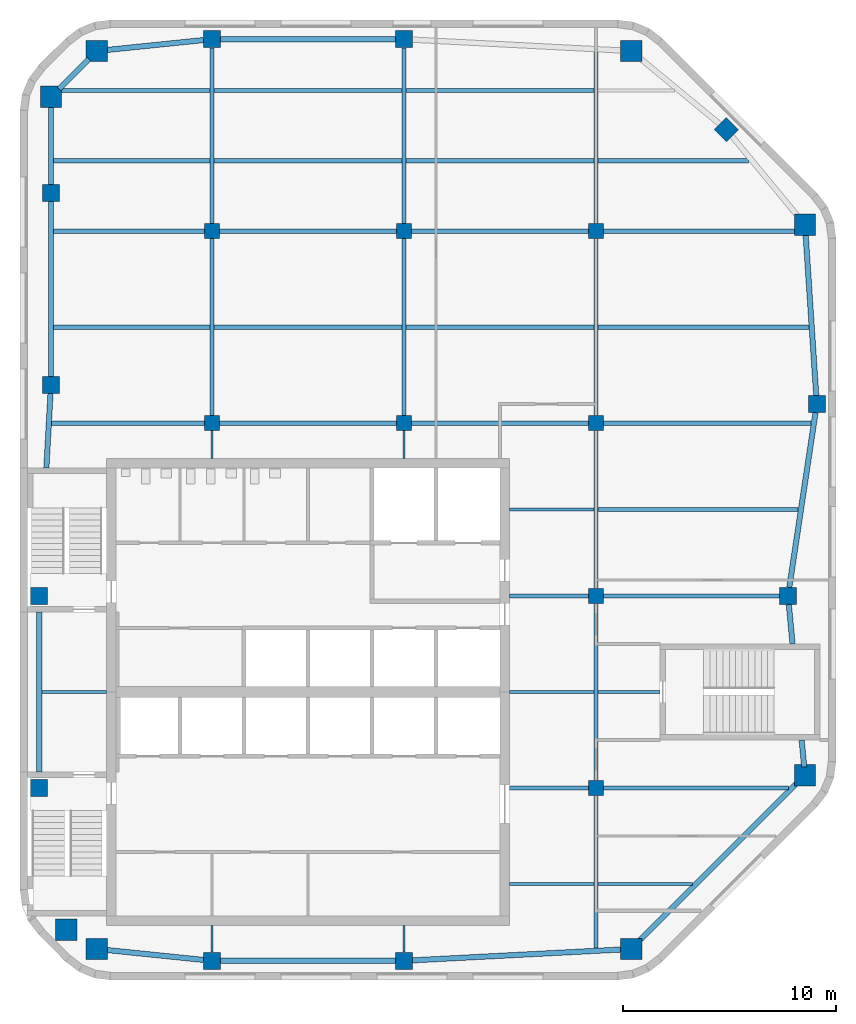
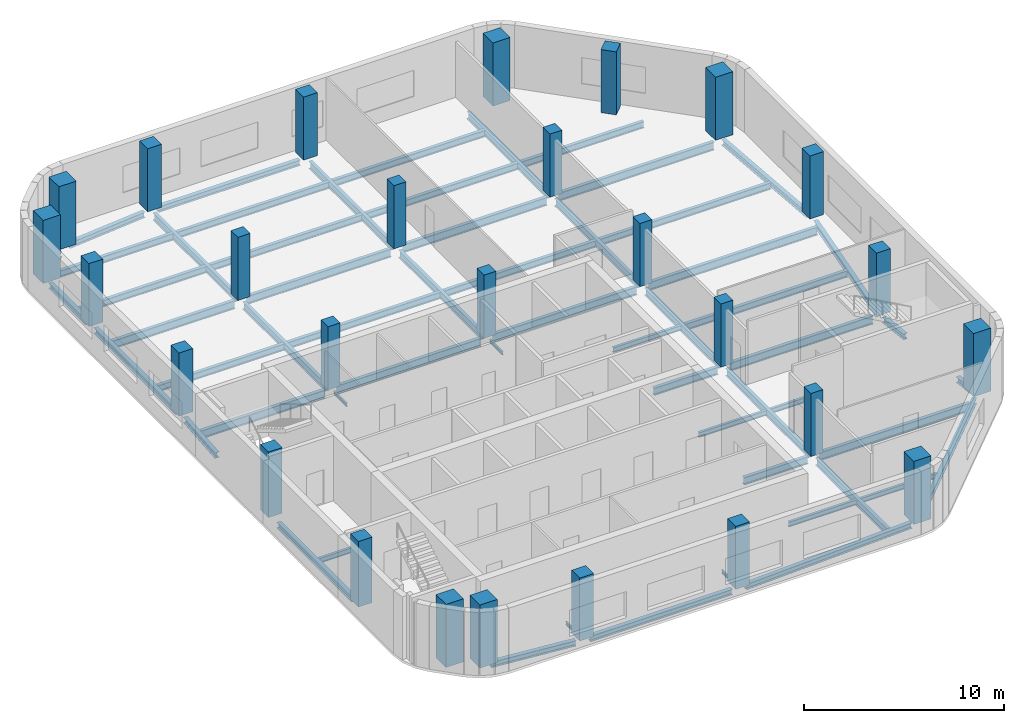
# One storey, part 1 of 7: 58 beams, 27 columns.
"""IFC4 building model written with IfcOpenShell, lengths in metres."""

from ifc_helpers import new_model, si_unit, direction, frame, origin, origin_2d, place, context, subcontext, project, spatial, rectangle, i_section, extrude, material, material_profile, profile_set, type_object, element, save


model = new_model("IFC4")

# Units and contexts
model_context = context("Model", 3, precision=1e-05, world=origin(), true_north=direction((0.0, 1.0)))
body_context = subcontext(model_context, "Body", "Model", "MODEL_VIEW")
ifc_project = project(units=[si_unit("LENGTHUNIT", "METRE"), si_unit("AREAUNIT", "SQUARE_METRE"), si_unit("VOLUMEUNIT", "CUBIC_METRE"), si_unit("PLANEANGLEUNIT", "RADIAN"), si_unit("MASSUNIT", "GRAM", prefix="KILO")], contexts=[model_context])

# Site, building, storey
site_placement = place(None, origin())
site = spatial("IfcSite", under=ifc_project, at=site_placement, CompositionType="ELEMENT")
building_placement = place(site_placement, origin())
building = spatial("IfcBuilding", under=site, at=building_placement, Name="Cinnabar Reach Civic Tower", CompositionType="ELEMENT")
storey_placement = place(building_placement, frame((0.0, 0.0, 255.0)))
storey = spatial("IfcBuildingStorey", under=building, at=storey_placement, Name="L61", CompositionType="ELEMENT", Elevation=255.0)

# Columns
ifc_material_1 = material(Name="Concrete C70", Category="concrete")
ifc_material_profile_1 = material_profile(ifc_material_1, rectangle(XDim=1.0, YDim=1.0, at=origin_2d()), Name="RC1000")
ifc_profile_set_1 = profile_set([ifc_material_profile_1], Name="Concrete C70")
column_type_1 = type_object("IfcColumnType", Name="RC1000 column R 240", PredefinedType="COLUMN", material=ifc_profile_set_1)
for number, where, z_axis, x_axis, name in (
    (1, (3.6019, 19.4531, 0.0), (0.0, 0.0, 1.0), (1.0, 0.0, 0.0), "Column T1-Z5-CC0"),
    (2, (28.6481, 19.4531, 0.0), (0.0, 0.0, 1.0), (1.0, 0.0, 0.0), "Column T1-Z5-CC1"),
    (3, (36.7969, 27.6019, 0.0), (0.0, 0.0, 1.0), (1.0, 0.0, 0.0), "Column T1-Z5-CC2"),
    (4, (36.7969, 53.3981, 0.0), (0.0, 0.0, 1.0), (1.0, 0.0, 0.0), "Column T1-Z5-CC3"),
    (5, (28.6481, 61.5469, 0.0), (0.0, 0.0, 1.0), (1.0, 0.0, 0.0), "Column T1-Z5-CC4"),
    (6, (3.6019, 61.5469, 0.0), (0.0, 0.0, 1.0), (1.0, 0.0, 0.0), "Column T1-Z5-CC5"),
    (7, (1.4531, 59.3981, 0.0), (0.0, 0.0, 1.0), (1.0, 0.0, 0.0), "Column T1-Z5-CC6"),
    (8, (2.1631, 20.35, 0.0), (0.0, 0.0, 1.0), (1.0, 0.0, 0.0), "Column T1-Z5-CC7"),
):
    element("IfcColumn", number, at=place(storey_placement, frame(where, z_axis=z_axis, x_axis=x_axis)), inside=storey, type_object=column_type_1, Name=name, PredefinedType="COLUMN", context=body_context, shape_type="SweptSolid", body=[
        extrude(rectangle(XDim=1.0, YDim=1.0, at=origin_2d()), origin(), (0.0, 0.0, 1.0), 3.85),
    ])
ifc_material_2 = material(Name="Concrete C60", Category="concrete")
ifc_material_profile_2 = material_profile(ifc_material_2, rectangle(XDim=0.7, YDim=0.7, at=origin_2d()), Name="RC700")
ifc_profile_set_2 = profile_set([ifc_material_profile_2], Name="Concrete C60")
column_type_2 = type_object("IfcColumnType", Name="RC700 column R 240", PredefinedType="COLUMN", material=ifc_profile_set_2)
for number, where, z_axis, x_axis, name in (
    (9, (9.0, 44.1, 0.0), (0.0, 0.0, 1.0), (1.0, 0.0, 0.0), "Column T1-Z5-I9_45"),
    (10, (9.0, 53.1, 0.0), (0.0, 0.0, 1.0), (1.0, 0.0, 0.0), "Column T1-Z5-I9_54"),
    (11, (18.0, 44.1, 0.0), (0.0, 0.0, 1.0), (1.0, 0.0, 0.0), "Column T1-Z5-I18_45"),
    (12, (18.0, 53.1, 0.0), (0.0, 0.0, 1.0), (1.0, 0.0, 0.0), "Column T1-Z5-I18_54"),
    (13, (27.0, 27.0, 0.0), (0.0, 0.0, 1.0), (1.0, 0.0, 0.0), "Column T1-Z5-I27_27"),
    (14, (27.0, 36.0, 0.0), (0.0, 0.0, 1.0), (1.0, 0.0, 0.0), "Column T1-Z5-I27_36"),
    (15, (27.0, 44.1, 0.0), (0.0, 0.0, 1.0), (1.0, 0.0, 0.0), "Column T1-Z5-I27_45"),
    (16, (27.0, 53.1, 0.0), (0.0, 0.0, 1.0), (1.0, 0.0, 0.0), "Column T1-Z5-I27_54"),
):
    element("IfcColumn", number, at=place(storey_placement, frame(where, z_axis=z_axis, x_axis=x_axis)), inside=storey, type_object=column_type_2, Name=name, PredefinedType="COLUMN", context=body_context, shape_type="SweptSolid", body=[
        extrude(rectangle(XDim=0.7, YDim=0.7, at=origin_2d()), origin(), (0.0, 0.0, 1.0), 3.85),
    ])
ifc_material_profile_3 = material_profile(ifc_material_2, rectangle(XDim=0.8, YDim=0.8, at=origin_2d()), Name="RC800")
ifc_profile_set_3 = profile_set([ifc_material_profile_3], Name="Concrete C60")
column_type_3 = type_object("IfcColumnType", Name="RC800 column R 240", PredefinedType="COLUMN", material=ifc_profile_set_3)
for number, where, z_axis, x_axis, name in (
    (17, (9.0, 18.9, 0.0), (0.0, 0.0, 1.0), (1.0, 0.0, 0.0), "Column T1-Z5-F0-1"),
    (18, (18.0, 18.9, 0.0), (0.0, 0.0, 1.0), (1.0, 0.0, 0.0), "Column T1-Z5-F0-2"),
    (19, (36.0, 36.0, 0.0), (0.0, 0.0, 1.0), (1.0, 0.0, 0.0), "Column T1-Z5-F2-4"),
    (20, (37.35, 45.0, 0.0), (0.0, 0.0, 1.0), (1.0, 0.0, 0.0), "Column T1-Z5-F2-5"),
    (21, (33.1136, 57.8636, 0.0), (0.0, 0.0, 1.0), (0.707106781187, 0.707106781187, 0.0), "Column T1-Z5-F3-M"),
    (22, (9.0, 62.1, 0.0), (0.0, 0.0, 1.0), (1.0, 0.0, 0.0), "Column T1-Z5-F4-1"),
    (23, (18.0, 62.1, 0.0), (0.0, 0.0, 1.0), (1.0, 0.0, 0.0), "Column T1-Z5-F4-2"),
):
    element("IfcColumn", number, at=place(storey_placement, frame(where, z_axis=z_axis, x_axis=x_axis)), inside=storey, type_object=column_type_3, Name=name, PredefinedType="COLUMN", context=body_context, shape_type="SweptSolid", body=[
        extrude(rectangle(XDim=0.8, YDim=0.8, at=origin_2d()), origin(), (0.0, 0.0, 1.0), 3.85),
    ])
for number, where, z_axis, x_axis, name in (
    (24, (0.9, 27.0, 0.0), (0.0, 0.0, 1.0), (1.0, 0.0, 0.0), "Column T1-Z5-F6-3"),
    (25, (0.9, 36.0, 0.0), (0.0, 0.0, 1.0), (1.0, 0.0, 0.0), "Column T1-Z5-F6-4"),
):
    element("IfcColumn", number, at=place(storey_placement, frame(where, z_axis=z_axis, x_axis=x_axis)), inside=storey, type_object=column_type_3, Name=name, PredefinedType="COLUMN", context=body_context, shape_type="SweptSolid", body=[
        extrude(rectangle(XDim=0.8, YDim=0.8, at=origin_2d()), origin(), (0.0, 0.0, 1.0), 4.0),
    ])
for number, where, z_axis, x_axis, name in (
    (26, (1.4531, 45.8981, 0.0), (0.0, 0.0, 1.0), (1.0, 0.0, 0.0), "Column T1-Z5-F6-5"),
    (27, (1.4531, 54.8981, 0.0), (0.0, 0.0, 1.0), (1.0, 0.0, 0.0), "Column T1-Z5-F6-6"),
):
    element("IfcColumn", number, at=place(storey_placement, frame(where, z_axis=z_axis, x_axis=x_axis)), inside=storey, type_object=column_type_3, Name=name, PredefinedType="COLUMN", context=body_context, shape_type="SweptSolid", body=[
        extrude(rectangle(XDim=0.8, YDim=0.8, at=origin_2d()), origin(), (0.0, 0.0, 1.0), 3.85),
    ])

# Beams
ifc_material_3 = material(Name="Steel Q355B", Category="steel")
ifc_material_profile_4 = material_profile(ifc_material_3, i_section(OverallWidth=0.25, OverallDepth=0.34, WebThickness=0.009, FlangeThickness=0.014, FilletRadius=0.013, at=origin_2d()), Name="HM340x250x9x14")
ifc_profile_set_4 = profile_set([ifc_material_profile_4], Name="Steel Q355B")
beam_type_1 = type_object("IfcBeamType", Name="HM340x250x9x14 beam R 180", PredefinedType="BEAM", material=ifc_profile_set_4)
beam_1_placement = place(storey_placement, frame((3.9839, 19.414, -0.32), z_axis=(0.994791084875, -0.101934770579, 0.0), x_axis=(0.101934770579, 0.994791084875, 0.0)))
element("IfcBeam", 28, at=beam_1_placement, inside=storey, type_object=beam_type_1, Name="Edge beam T1 L61 1", PredefinedType="BEAM", context=body_context, shape_type="SweptSolid", body=[
    extrude(i_section(OverallWidth=0.25, OverallDepth=0.34, WebThickness=0.009, FlangeThickness=0.014, FilletRadius=0.013, at=origin_2d()), origin(), (0.0, 0.0, 1.0), 4.6383),
])
beam_2_placement = place(storey_placement, frame((9.402, 18.9, -0.32), z_axis=(1.0, 0.0, 0.0), x_axis=(0.0, 1.0, 0.0)))
element("IfcBeam", 29, at=beam_2_placement, inside=storey, type_object=beam_type_1, Name="Edge beam T1 L61 2", PredefinedType="BEAM", context=body_context, shape_type="SweptSolid", body=[
    extrude(i_section(OverallWidth=0.25, OverallDepth=0.34, WebThickness=0.009, FlangeThickness=0.014, FilletRadius=0.013, at=origin_2d()), origin(), (0.0, 0.0, 1.0), 8.196),
])
beam_3_placement = place(storey_placement, frame((18.402, 18.9209, -0.32), z_axis=(0.998653533726, 0.051876001934, 0.0), x_axis=(-0.051876001934, 0.998653533726, 0.0)))
element("IfcBeam", 30, at=beam_3_placement, inside=storey, type_object=beam_type_1, Name="Edge beam T1 L61 3", PredefinedType="BEAM", context=body_context, shape_type="SweptSolid", body=[
    extrude(i_section(OverallWidth=0.25, OverallDepth=0.34, WebThickness=0.009, FlangeThickness=0.014, FilletRadius=0.013, at=origin_2d()), origin(), (0.0, 0.0, 1.0), 9.8774),
])
beam_4_placement = place(storey_placement, frame((29.0301, 19.8351, -0.32), z_axis=(0.707106781187, 0.707106781187, 0.0), x_axis=(-0.707106781187, 0.707106781187, 0.0)))
element("IfcBeam", 31, at=beam_4_placement, inside=storey, type_object=beam_type_1, Name="Edge beam T1 L61 4", PredefinedType="BEAM", context=body_context, shape_type="SweptSolid", body=[
    extrude(i_section(OverallWidth=0.25, OverallDepth=0.34, WebThickness=0.009, FlangeThickness=0.014, FilletRadius=0.013, at=origin_2d()), origin(), (0.0, 0.0, 1.0), 10.4437),
])
beam_5_placement = place(storey_placement, frame((36.7607, 27.9839, -0.32), z_axis=(-0.094504338241, 0.995524449752, 0.0), x_axis=(-0.995524449752, -0.094504338241, 0.0)))
element("IfcBeam", 32, at=beam_5_placement, inside=storey, type_object=beam_type_1, Name="Edge beam T1 L61 5", PredefinedType="BEAM", context=body_context, shape_type="SweptSolid", body=[
    extrude(i_section(OverallWidth=0.25, OverallDepth=0.34, WebThickness=0.009, FlangeThickness=0.014, FilletRadius=0.013, at=origin_2d()), origin(), (0.0, 0.0, 1.0), 1.2698),
])
beam_6_placement = place(storey_placement, frame((36.2133, 33.752, -0.32), z_axis=(-0.094483333102, 0.995526443529, 0.0), x_axis=(-0.995526443529, -0.094483333102, 0.0)))
element("IfcBeam", 33, at=beam_6_placement, inside=storey, type_object=beam_type_1, Name="Edge beam T1 L61 6", PredefinedType="BEAM", context=body_context, shape_type="SweptSolid", body=[
    extrude(i_section(OverallWidth=0.25, OverallDepth=0.34, WebThickness=0.009, FlangeThickness=0.014, FilletRadius=0.013, at=origin_2d()), origin(), (0.0, 0.0, 1.0), 1.8543),
])
beam_7_placement = place(storey_placement, frame((36.0603, 36.402, -0.32), z_axis=(0.14834045293, 0.988936352868, 0.0), x_axis=(-0.988936352868, 0.14834045293, 0.0)))
element("IfcBeam", 34, at=beam_7_placement, inside=storey, type_object=beam_type_1, Name="Edge beam T1 L61 7", PredefinedType="BEAM", context=body_context, shape_type="SweptSolid", body=[
    extrude(i_section(OverallWidth=0.25, OverallDepth=0.34, WebThickness=0.009, FlangeThickness=0.014, FilletRadius=0.013, at=origin_2d()), origin(), (0.0, 0.0, 1.0), 8.2877),
])
beam_8_placement = place(storey_placement, frame((37.3235, 45.402, -0.32), z_axis=(-0.065709195057, 0.997838815483, 0.0), x_axis=(-0.997838815483, -0.065709195057, 0.0)))
element("IfcBeam", 35, at=beam_8_placement, inside=storey, type_object=beam_type_1, Name="Edge beam T1 L61 8", PredefinedType="BEAM", context=body_context, shape_type="SweptSolid", body=[
    extrude(i_section(OverallWidth=0.25, OverallDepth=0.34, WebThickness=0.009, FlangeThickness=0.014, FilletRadius=0.013, at=origin_2d()), origin(), (0.0, 0.0, 1.0), 7.6306),
])
beam_9_placement = place(storey_placement, frame((17.598, 62.1, -0.32), z_axis=(-1.0, 0.0, 0.0), x_axis=(0.0, -1.0, 0.0)))
element("IfcBeam", 36, at=beam_9_placement, inside=storey, type_object=beam_type_1, Name="Edge beam T1 L61 12", PredefinedType="BEAM", context=body_context, shape_type="SweptSolid", body=[
    extrude(i_section(OverallWidth=0.25, OverallDepth=0.34, WebThickness=0.009, FlangeThickness=0.014, FilletRadius=0.013, at=origin_2d()), origin(), (0.0, 0.0, 1.0), 8.196),
])
beam_10_placement = place(storey_placement, frame((8.598, 62.0588, -0.32), z_axis=(-0.994791084875, -0.101934770579, 0.0), x_axis=(0.101934770579, -0.994791084875, 0.0)))
element("IfcBeam", 37, at=beam_10_placement, inside=storey, type_object=beam_type_1, Name="Edge beam T1 L61 13", PredefinedType="BEAM", context=body_context, shape_type="SweptSolid", body=[
    extrude(i_section(OverallWidth=0.25, OverallDepth=0.34, WebThickness=0.009, FlangeThickness=0.014, FilletRadius=0.013, at=origin_2d()), origin(), (0.0, 0.0, 1.0), 4.6383),
])
beam_11_placement = place(storey_placement, frame((3.2199, 61.1649, -0.32), z_axis=(-0.707106781187, -0.707106781187, 0.0), x_axis=(0.707106781187, -0.707106781187, 0.0)))
element("IfcBeam", 38, at=beam_11_placement, inside=storey, type_object=beam_type_1, Name="Edge beam T1 L61 14", PredefinedType="BEAM", context=body_context, shape_type="SweptSolid", body=[
    extrude(i_section(OverallWidth=0.25, OverallDepth=0.34, WebThickness=0.009, FlangeThickness=0.014, FilletRadius=0.013, at=origin_2d()), origin(), (0.0, 0.0, 1.0), 1.9584),
])
beam_12_placement = place(storey_placement, frame((1.4531, 59.0161, -0.32), z_axis=(0.0, -1.0, 0.0), x_axis=(1.0, 0.0, 0.0)))
element("IfcBeam", 39, at=beam_12_placement, inside=storey, type_object=beam_type_1, Name="Edge beam T1 L61 15", PredefinedType="BEAM", context=body_context, shape_type="SweptSolid", body=[
    extrude(i_section(OverallWidth=0.25, OverallDepth=0.34, WebThickness=0.009, FlangeThickness=0.014, FilletRadius=0.013, at=origin_2d()), origin(), (0.0, 0.0, 1.0), 3.716),
])
beam_13_placement = place(storey_placement, frame((1.4531, 54.4961, -0.32), z_axis=(0.0, -1.0, 0.0), x_axis=(1.0, 0.0, 0.0)))
element("IfcBeam", 40, at=beam_13_placement, inside=storey, type_object=beam_type_1, Name="Edge beam T1 L61 16", PredefinedType="BEAM", context=body_context, shape_type="SweptSolid", body=[
    extrude(i_section(OverallWidth=0.25, OverallDepth=0.34, WebThickness=0.009, FlangeThickness=0.014, FilletRadius=0.013, at=origin_2d()), origin(), (0.0, 0.0, 1.0), 8.196),
])
beam_14_placement = place(storey_placement, frame((1.4306, 45.4961, -0.32), z_axis=(-0.055778628236, -0.998443160441, 0.0), x_axis=(0.998443160441, -0.055778628236, 0.0)))
element("IfcBeam", 41, at=beam_14_placement, inside=storey, type_object=beam_type_1, Name="Edge beam T1 L61 17", PredefinedType="BEAM", context=body_context, shape_type="SweptSolid", body=[
    extrude(i_section(OverallWidth=0.25, OverallDepth=0.34, WebThickness=0.009, FlangeThickness=0.014, FilletRadius=0.013, at=origin_2d()), origin(), (0.0, 0.0, 1.0), 3.4995),
])
beam_15_placement = place(storey_placement, frame((0.9, 35.248, -0.32), z_axis=(0.0, -1.0, 0.0), x_axis=(1.0, 0.0, 0.0)))
element("IfcBeam", 42, at=beam_15_placement, inside=storey, type_object=beam_type_1, Name="Edge beam T1 L61 18", PredefinedType="BEAM", context=body_context, shape_type="SweptSolid", body=[
    extrude(i_section(OverallWidth=0.25, OverallDepth=0.34, WebThickness=0.009, FlangeThickness=0.014, FilletRadius=0.013, at=origin_2d()), origin(), (0.0, 0.0, 1.0), 7.496),
])
ifc_material_profile_5 = material_profile(ifc_material_3, i_section(OverallWidth=0.099, OverallDepth=0.198, WebThickness=0.0045, FlangeThickness=0.007, FilletRadius=0.013, at=origin_2d()), Name="HN200x100x5.5x8")
ifc_profile_set_5 = profile_set([ifc_material_profile_5], Name="Steel Q355B")
beam_type_2 = type_object("IfcBeamType", Name="HN200x100x5.5x8 beam R 180", PredefinedType="BEAM", material=ifc_profile_set_5)
beam_16_placement = place(storey_placement, frame((9.0, 19.302, -0.249), z_axis=(0.0, 1.0, 0.0), x_axis=(-1.0, 0.0, 0.0)))
element("IfcBeam", 43, at=beam_16_placement, inside=storey, type_object=beam_type_2, Name="Girder T1 L61 1", PredefinedType="BEAM", context=body_context, shape_type="SweptSolid", body=[
    extrude(i_section(OverallWidth=0.099, OverallDepth=0.198, WebThickness=0.0045, FlangeThickness=0.007, FilletRadius=0.013, at=origin_2d()), origin(), (0.0, 0.0, 1.0), 1.246),
])
beam_17_placement = place(storey_placement, frame((9.0, 42.452, -0.249), z_axis=(0.0, 1.0, 0.0), x_axis=(-1.0, 0.0, 0.0)))
element("IfcBeam", 44, at=beam_17_placement, inside=storey, type_object=beam_type_2, Name="Girder T1 L61 2", PredefinedType="BEAM", context=body_context, shape_type="SweptSolid", body=[
    extrude(i_section(OverallWidth=0.099, OverallDepth=0.198, WebThickness=0.0045, FlangeThickness=0.007, FilletRadius=0.013, at=origin_2d()), origin(), (0.0, 0.0, 1.0), 1.296),
])
beam_18_placement = place(storey_placement, frame((18.0, 19.302, -0.249), z_axis=(0.0, 1.0, 0.0), x_axis=(-1.0, 0.0, 0.0)))
element("IfcBeam", 45, at=beam_18_placement, inside=storey, type_object=beam_type_2, Name="Girder T1 L61 5", PredefinedType="BEAM", context=body_context, shape_type="SweptSolid", body=[
    extrude(i_section(OverallWidth=0.099, OverallDepth=0.198, WebThickness=0.0045, FlangeThickness=0.007, FilletRadius=0.013, at=origin_2d()), origin(), (0.0, 0.0, 1.0), 1.246),
])
beam_19_placement = place(storey_placement, frame((18.0, 42.452, -0.249), z_axis=(0.0, 1.0, 0.0), x_axis=(-1.0, 0.0, 0.0)))
element("IfcBeam", 46, at=beam_19_placement, inside=storey, type_object=beam_type_2, Name="Girder T1 L61 6", PredefinedType="BEAM", context=body_context, shape_type="SweptSolid", body=[
    extrude(i_section(OverallWidth=0.099, OverallDepth=0.198, WebThickness=0.0045, FlangeThickness=0.007, FilletRadius=0.013, at=origin_2d()), origin(), (0.0, 0.0, 1.0), 1.296),
])
ifc_material_profile_6 = material_profile(ifc_material_3, i_section(OverallWidth=0.15, OverallDepth=0.3, WebThickness=0.0065, FlangeThickness=0.009, FilletRadius=0.013, at=origin_2d()), Name="HN300x150x6.5x9")
ifc_profile_set_6 = profile_set([ifc_material_profile_6], Name="Steel Q355B")
beam_type_3 = type_object("IfcBeamType", Name="HN300x150x6.5x9 beam R 180", PredefinedType="BEAM", material=ifc_profile_set_6)
beam_20_placement = place(storey_placement, frame((22.952, 22.5, -0.3), z_axis=(1.0, 0.0, 0.0), x_axis=(0.0, 1.0, 0.0)))
element("IfcBeam", 47, at=beam_20_placement, inside=storey, type_object=beam_type_3, Name="Secondary beam T1 L61 1", PredefinedType="BEAM", context=body_context, shape_type="SweptSolid", body=[
    extrude(i_section(OverallWidth=0.15, OverallDepth=0.3, WebThickness=0.0065, FlangeThickness=0.009, FilletRadius=0.013, at=origin_2d()), origin(), (0.0, 0.0, 1.0), 3.946),
])
beam_21_placement = place(storey_placement, frame((27.102, 22.5, -0.3), z_axis=(1.0, 0.0, 0.0), x_axis=(0.0, 1.0, 0.0)))
element("IfcBeam", 48, at=beam_21_placement, inside=storey, type_object=beam_type_3, Name="Secondary beam T1 L61 2", PredefinedType="BEAM", context=body_context, shape_type="SweptSolid", body=[
    extrude(i_section(OverallWidth=0.15, OverallDepth=0.3, WebThickness=0.0065, FlangeThickness=0.009, FilletRadius=0.013, at=origin_2d()), origin(), (0.0, 0.0, 1.0), 4.4134),
])
beam_22_placement = place(storey_placement, frame((1.027, 31.5, -0.3), z_axis=(1.0, 0.0, 0.0), x_axis=(0.0, 1.0, 0.0)))
element("IfcBeam", 49, at=beam_22_placement, inside=storey, type_object=beam_type_3, Name="Secondary beam T1 L61 3", PredefinedType="BEAM", context=body_context, shape_type="SweptSolid", body=[
    extrude(i_section(OverallWidth=0.15, OverallDepth=0.3, WebThickness=0.0065, FlangeThickness=0.009, FilletRadius=0.013, at=origin_2d()), origin(), (0.0, 0.0, 1.0), 3.021),
])
beam_23_placement = place(storey_placement, frame((22.952, 31.5, -0.3), z_axis=(1.0, 0.0, 0.0), x_axis=(0.0, 1.0, 0.0)))
element("IfcBeam", 50, at=beam_23_placement, inside=storey, type_object=beam_type_3, Name="Secondary beam T1 L61 4", PredefinedType="BEAM", context=body_context, shape_type="SweptSolid", body=[
    extrude(i_section(OverallWidth=0.15, OverallDepth=0.3, WebThickness=0.0065, FlangeThickness=0.009, FilletRadius=0.013, at=origin_2d()), origin(), (0.0, 0.0, 1.0), 3.946),
])
beam_24_placement = place(storey_placement, frame((27.102, 31.5, -0.3), z_axis=(1.0, 0.0, 0.0), x_axis=(0.0, 1.0, 0.0)))
element("IfcBeam", 51, at=beam_24_placement, inside=storey, type_object=beam_type_3, Name="Secondary beam T1 L61 5", PredefinedType="BEAM", context=body_context, shape_type="SweptSolid", body=[
    extrude(i_section(OverallWidth=0.15, OverallDepth=0.3, WebThickness=0.0065, FlangeThickness=0.009, FilletRadius=0.013, at=origin_2d()), origin(), (0.0, 0.0, 1.0), 2.896),
])
beam_25_placement = place(storey_placement, frame((22.952, 40.05, -0.3), z_axis=(1.0, 0.0, 0.0), x_axis=(0.0, 1.0, 0.0)))
element("IfcBeam", 52, at=beam_25_placement, inside=storey, type_object=beam_type_3, Name="Secondary beam T1 L61 6", PredefinedType="BEAM", context=body_context, shape_type="SweptSolid", body=[
    extrude(i_section(OverallWidth=0.15, OverallDepth=0.3, WebThickness=0.0065, FlangeThickness=0.009, FilletRadius=0.013, at=origin_2d()), origin(), (0.0, 0.0, 1.0), 3.946),
])
ifc_material_profile_7 = material_profile(ifc_material_3, i_section(OverallWidth=0.2, OverallDepth=0.4, WebThickness=0.008, FlangeThickness=0.013, FilletRadius=0.016, at=origin_2d()), Name="HN400x200x8x13")
ifc_profile_set_7 = profile_set([ifc_material_profile_7], Name="Steel Q355B")
beam_type_4 = type_object("IfcBeamType", Name="HN400x200x8x13 beam R 180", PredefinedType="BEAM", material=ifc_profile_set_7)
beam_26_placement = place(storey_placement, frame((27.102, 40.05, -0.35), z_axis=(1.0, 0.0, 0.0), x_axis=(0.0, 1.0, 0.0)))
element("IfcBeam", 53, at=beam_26_placement, inside=storey, type_object=beam_type_4, Name="Secondary beam T1 L61 7", PredefinedType="BEAM", context=body_context, shape_type="SweptSolid", body=[
    extrude(i_section(OverallWidth=0.2, OverallDepth=0.4, WebThickness=0.008, FlangeThickness=0.013, FilletRadius=0.016, at=origin_2d()), origin(), (0.0, 0.0, 1.0), 9.3771),
])
beam_27_placement = place(storey_placement, frame((1.5801, 48.6, -0.35), z_axis=(1.0, 0.0, 0.0), x_axis=(0.0, 1.0, 0.0)))
element("IfcBeam", 54, at=beam_27_placement, inside=storey, type_object=beam_type_4, Name="Secondary beam T1 L61 8", PredefinedType="BEAM", context=body_context, shape_type="SweptSolid", body=[
    extrude(i_section(OverallWidth=0.2, OverallDepth=0.4, WebThickness=0.008, FlangeThickness=0.013, FilletRadius=0.016, at=origin_2d()), origin(), (0.0, 0.0, 1.0), 7.3179),
])
for number, where, z_axis, x_axis, name in (
    (55, (9.102, 48.6, -0.35), (1.0, 0.0, 0.0), (0.0, 1.0, 0.0), "Secondary beam T1 L61 9"),
    (56, (18.102, 48.6, -0.35), (1.0, 0.0, 0.0), (0.0, 1.0, 0.0), "Secondary beam T1 L61 10"),
):
    element("IfcBeam", number, at=place(storey_placement, frame(where, z_axis=z_axis, x_axis=x_axis)), inside=storey, type_object=beam_type_4, Name=name, PredefinedType="BEAM", context=body_context, shape_type="SweptSolid", body=[
        extrude(i_section(OverallWidth=0.2, OverallDepth=0.4, WebThickness=0.008, FlangeThickness=0.013, FilletRadius=0.016, at=origin_2d()), origin(), (0.0, 0.0, 1.0), 8.796),
    ])
beam_28_placement = place(storey_placement, frame((27.102, 48.6, -0.35), z_axis=(1.0, 0.0, 0.0), x_axis=(0.0, 1.0, 0.0)))
element("IfcBeam", 57, at=beam_28_placement, inside=storey, type_object=beam_type_4, Name="Secondary beam T1 L61 11", PredefinedType="BEAM", context=body_context, shape_type="SweptSolid", body=[
    extrude(i_section(OverallWidth=0.2, OverallDepth=0.4, WebThickness=0.008, FlangeThickness=0.013, FilletRadius=0.016, at=origin_2d()), origin(), (0.0, 0.0, 1.0), 9.8836),
])
beam_29_placement = place(storey_placement, frame((1.5801, 56.4, -0.35), z_axis=(1.0, 0.0, 0.0), x_axis=(0.0, 1.0, 0.0)))
element("IfcBeam", 58, at=beam_29_placement, inside=storey, type_object=beam_type_4, Name="Secondary beam T1 L61 12", PredefinedType="BEAM", context=body_context, shape_type="SweptSolid", body=[
    extrude(i_section(OverallWidth=0.2, OverallDepth=0.4, WebThickness=0.008, FlangeThickness=0.013, FilletRadius=0.016, at=origin_2d()), origin(), (0.0, 0.0, 1.0), 7.3179),
])
for number, where, z_axis, x_axis, name in (
    (59, (9.102, 56.4, -0.35), (1.0, 0.0, 0.0), (0.0, 1.0, 0.0), "Secondary beam T1 L61 13"),
    (60, (18.102, 56.4, -0.35), (1.0, 0.0, 0.0), (0.0, 1.0, 0.0), "Secondary beam T1 L61 14"),
):
    element("IfcBeam", number, at=place(storey_placement, frame(where, z_axis=z_axis, x_axis=x_axis)), inside=storey, type_object=beam_type_4, Name=name, PredefinedType="BEAM", context=body_context, shape_type="SweptSolid", body=[
        extrude(i_section(OverallWidth=0.2, OverallDepth=0.4, WebThickness=0.008, FlangeThickness=0.013, FilletRadius=0.016, at=origin_2d()), origin(), (0.0, 0.0, 1.0), 8.796),
    ])
beam_30_placement = place(storey_placement, frame((27.102, 56.4, -0.35), z_axis=(1.0, 0.0, 0.0), x_axis=(0.0, 1.0, 0.0)))
element("IfcBeam", 61, at=beam_30_placement, inside=storey, type_object=beam_type_4, Name="Secondary beam T1 L61 15", PredefinedType="BEAM", context=body_context, shape_type="SweptSolid", body=[
    extrude(i_section(OverallWidth=0.2, OverallDepth=0.4, WebThickness=0.008, FlangeThickness=0.013, FilletRadius=0.016, at=origin_2d()), origin(), (0.0, 0.0, 1.0), 7.0542),
])
beam_31_placement = place(storey_placement, frame((1.9551, 59.7, -0.35), z_axis=(1.0, 0.0, 0.0), x_axis=(0.0, 1.0, 0.0)))
element("IfcBeam", 62, at=beam_31_placement, inside=storey, type_object=beam_type_4, Name="Secondary beam T1 L61 16", PredefinedType="BEAM", context=body_context, shape_type="SweptSolid", body=[
    extrude(i_section(OverallWidth=0.2, OverallDepth=0.4, WebThickness=0.008, FlangeThickness=0.013, FilletRadius=0.016, at=origin_2d()), origin(), (0.0, 0.0, 1.0), 6.9429),
])
for number, where, z_axis, x_axis, name in (
    (63, (9.102, 59.7, -0.35), (1.0, 0.0, 0.0), (0.0, 1.0, 0.0), "Secondary beam T1 L61 17"),
    (64, (18.102, 59.7, -0.35), (1.0, 0.0, 0.0), (0.0, 1.0, 0.0), "Secondary beam T1 L61 18"),
):
    element("IfcBeam", number, at=place(storey_placement, frame(where, z_axis=z_axis, x_axis=x_axis)), inside=storey, type_object=beam_type_4, Name=name, PredefinedType="BEAM", context=body_context, shape_type="SweptSolid", body=[
        extrude(i_section(OverallWidth=0.2, OverallDepth=0.4, WebThickness=0.008, FlangeThickness=0.013, FilletRadius=0.016, at=origin_2d()), origin(), (0.0, 0.0, 1.0), 8.796),
    ])
ifc_material_profile_8 = material_profile(ifc_material_3, i_section(OverallWidth=0.2, OverallDepth=0.45, WebThickness=0.009, FlangeThickness=0.014, FilletRadius=0.016, at=origin_2d()), Name="HN450x200x9x14")
ifc_profile_set_8 = profile_set([ifc_material_profile_8], Name="Steel Q355B")
beam_type_5 = type_object("IfcBeamType", Name="HN450x200x9x14 beam R 180", PredefinedType="BEAM", material=ifc_profile_set_8)
for number, where, z_axis, x_axis, name in (
    (65, (22.952, 27.0, -0.375), (1.0, 0.0, 0.0), (0.0, 1.0, 0.0), "Girder T1 L61 1"),
    (66, (22.952, 36.0, -0.375), (1.0, 0.0, 0.0), (0.0, 1.0, 0.0), "Girder T1 L61 3"),
):
    element("IfcBeam", number, at=place(storey_placement, frame(where, z_axis=z_axis, x_axis=x_axis)), inside=storey, type_object=beam_type_5, Name=name, PredefinedType="BEAM", context=body_context, shape_type="SweptSolid", body=[
        extrude(i_section(OverallWidth=0.2, OverallDepth=0.45, WebThickness=0.009, FlangeThickness=0.014, FilletRadius=0.016, at=origin_2d()), origin(), (0.0, 0.0, 1.0), 3.696),
    ])
beam_32_placement = place(storey_placement, frame((9.0, 44.452, -0.375), z_axis=(0.0, 1.0, 0.0), x_axis=(-1.0, 0.0, 0.0)))
element("IfcBeam", 67, at=beam_32_placement, inside=storey, type_object=beam_type_5, Name="Girder T1 L61 3", PredefinedType="BEAM", context=body_context, shape_type="SweptSolid", body=[
    extrude(i_section(OverallWidth=0.2, OverallDepth=0.45, WebThickness=0.009, FlangeThickness=0.014, FilletRadius=0.016, at=origin_2d()), origin(), (0.0, 0.0, 1.0), 8.296),
])
beam_33_placement = place(storey_placement, frame((9.0, 53.452, -0.375), z_axis=(0.0, 1.0, 0.0), x_axis=(-1.0, 0.0, 0.0)))
element("IfcBeam", 68, at=beam_33_placement, inside=storey, type_object=beam_type_5, Name="Girder T1 L61 4", PredefinedType="BEAM", context=body_context, shape_type="SweptSolid", body=[
    extrude(i_section(OverallWidth=0.2, OverallDepth=0.45, WebThickness=0.009, FlangeThickness=0.014, FilletRadius=0.016, at=origin_2d()), origin(), (0.0, 0.0, 1.0), 8.246),
])
beam_34_placement = place(storey_placement, frame((18.0, 44.452, -0.375), z_axis=(0.0, 1.0, 0.0), x_axis=(-1.0, 0.0, 0.0)))
element("IfcBeam", 69, at=beam_34_placement, inside=storey, type_object=beam_type_5, Name="Girder T1 L61 7", PredefinedType="BEAM", context=body_context, shape_type="SweptSolid", body=[
    extrude(i_section(OverallWidth=0.2, OverallDepth=0.45, WebThickness=0.009, FlangeThickness=0.014, FilletRadius=0.016, at=origin_2d()), origin(), (0.0, 0.0, 1.0), 8.296),
])
beam_35_placement = place(storey_placement, frame((18.0, 53.452, -0.375), z_axis=(0.0, 1.0, 0.0), x_axis=(-1.0, 0.0, 0.0)))
element("IfcBeam", 70, at=beam_35_placement, inside=storey, type_object=beam_type_5, Name="Girder T1 L61 8", PredefinedType="BEAM", context=body_context, shape_type="SweptSolid", body=[
    extrude(i_section(OverallWidth=0.2, OverallDepth=0.45, WebThickness=0.009, FlangeThickness=0.014, FilletRadius=0.016, at=origin_2d()), origin(), (0.0, 0.0, 1.0), 8.246),
])
beam_36_placement = place(storey_placement, frame((27.0, 19.4947, -0.375), z_axis=(0.0, 1.0, 0.0), x_axis=(-1.0, 0.0, 0.0)))
element("IfcBeam", 71, at=beam_36_placement, inside=storey, type_object=beam_type_5, Name="Girder T1 L61 9", PredefinedType="BEAM", context=body_context, shape_type="SweptSolid", body=[
    extrude(i_section(OverallWidth=0.2, OverallDepth=0.45, WebThickness=0.009, FlangeThickness=0.014, FilletRadius=0.016, at=origin_2d()), origin(), (0.0, 0.0, 1.0), 7.1533),
])
beam_37_placement = place(storey_placement, frame((27.0, 27.352, -0.375), z_axis=(0.0, 1.0, 0.0), x_axis=(-1.0, 0.0, 0.0)))
element("IfcBeam", 72, at=beam_37_placement, inside=storey, type_object=beam_type_5, Name="Girder T1 L61 10", PredefinedType="BEAM", context=body_context, shape_type="SweptSolid", body=[
    extrude(i_section(OverallWidth=0.2, OverallDepth=0.45, WebThickness=0.009, FlangeThickness=0.014, FilletRadius=0.016, at=origin_2d()), origin(), (0.0, 0.0, 1.0), 8.296),
])
beam_38_placement = place(storey_placement, frame((27.0, 36.352, -0.375), z_axis=(0.0, 1.0, 0.0), x_axis=(-1.0, 0.0, 0.0)))
element("IfcBeam", 73, at=beam_38_placement, inside=storey, type_object=beam_type_5, Name="Girder T1 L61 11", PredefinedType="BEAM", context=body_context, shape_type="SweptSolid", body=[
    extrude(i_section(OverallWidth=0.2, OverallDepth=0.45, WebThickness=0.009, FlangeThickness=0.014, FilletRadius=0.016, at=origin_2d()), origin(), (0.0, 0.0, 1.0), 7.396),
])
beam_39_placement = place(storey_placement, frame((27.0, 44.452, -0.375), z_axis=(0.0, 1.0, 0.0), x_axis=(-1.0, 0.0, 0.0)))
element("IfcBeam", 74, at=beam_39_placement, inside=storey, type_object=beam_type_5, Name="Girder T1 L61 12", PredefinedType="BEAM", context=body_context, shape_type="SweptSolid", body=[
    extrude(i_section(OverallWidth=0.2, OverallDepth=0.45, WebThickness=0.009, FlangeThickness=0.014, FilletRadius=0.016, at=origin_2d()), origin(), (0.0, 0.0, 1.0), 8.296),
])
beam_40_placement = place(storey_placement, frame((27.0, 53.452, -0.375), z_axis=(0.0, 1.0, 0.0), x_axis=(-1.0, 0.0, 0.0)))
element("IfcBeam", 75, at=beam_40_placement, inside=storey, type_object=beam_type_5, Name="Girder T1 L61 13", PredefinedType="BEAM", context=body_context, shape_type="SweptSolid", body=[
    extrude(i_section(OverallWidth=0.2, OverallDepth=0.45, WebThickness=0.009, FlangeThickness=0.014, FilletRadius=0.016, at=origin_2d()), origin(), (0.0, 0.0, 1.0), 8.0533),
])
ifc_material_profile_9 = material_profile(ifc_material_3, i_section(OverallWidth=0.2, OverallDepth=0.5, WebThickness=0.01, FlangeThickness=0.016, FilletRadius=0.016, at=origin_2d()), Name="HN500x200x10x16")
ifc_profile_set_9 = profile_set([ifc_material_profile_9], Name="Steel Q355B")
beam_type_6 = type_object("IfcBeamType", Name="HN500x200x10x16 beam R 180", PredefinedType="BEAM", material=ifc_profile_set_9)
beam_41_placement = place(storey_placement, frame((27.352, 27.0, -0.4), z_axis=(1.0, 0.0, 0.0), x_axis=(0.0, 1.0, 0.0)))
element("IfcBeam", 76, at=beam_41_placement, inside=storey, type_object=beam_type_6, Name="Girder T1 L61 2", PredefinedType="BEAM", context=body_context, shape_type="SweptSolid", body=[
    extrude(i_section(OverallWidth=0.2, OverallDepth=0.5, WebThickness=0.01, FlangeThickness=0.016, FilletRadius=0.016, at=origin_2d()), origin(), (0.0, 0.0, 1.0), 8.6634),
])
beam_42_placement = place(storey_placement, frame((27.352, 36.0, -0.4), z_axis=(1.0, 0.0, 0.0), x_axis=(0.0, 1.0, 0.0)))
element("IfcBeam", 77, at=beam_42_placement, inside=storey, type_object=beam_type_6, Name="Girder T1 L61 4", PredefinedType="BEAM", context=body_context, shape_type="SweptSolid", body=[
    extrude(i_section(OverallWidth=0.2, OverallDepth=0.5, WebThickness=0.01, FlangeThickness=0.016, FilletRadius=0.016, at=origin_2d()), origin(), (0.0, 0.0, 1.0), 8.246),
])
beam_43_placement = place(storey_placement, frame((1.4798, 44.1, -0.4), z_axis=(1.0, 0.0, 0.0), x_axis=(0.0, 1.0, 0.0)))
element("IfcBeam", 78, at=beam_43_placement, inside=storey, type_object=beam_type_6, Name="Girder T1 L61 5", PredefinedType="BEAM", context=body_context, shape_type="SweptSolid", body=[
    extrude(i_section(OverallWidth=0.2, OverallDepth=0.5, WebThickness=0.01, FlangeThickness=0.016, FilletRadius=0.016, at=origin_2d()), origin(), (0.0, 0.0, 1.0), 7.1682),
])
for number, where, z_axis, x_axis, name in (
    (79, (9.352, 44.1, -0.4), (1.0, 0.0, 0.0), (0.0, 1.0, 0.0), "Girder T1 L61 6"),
    (80, (18.352, 44.1, -0.4), (1.0, 0.0, 0.0), (0.0, 1.0, 0.0), "Girder T1 L61 7"),
):
    element("IfcBeam", number, at=place(storey_placement, frame(where, z_axis=z_axis, x_axis=x_axis)), inside=storey, type_object=beam_type_6, Name=name, PredefinedType="BEAM", context=body_context, shape_type="SweptSolid", body=[
        extrude(i_section(OverallWidth=0.2, OverallDepth=0.5, WebThickness=0.01, FlangeThickness=0.016, FilletRadius=0.016, at=origin_2d()), origin(), (0.0, 0.0, 1.0), 8.296),
    ])
beam_44_placement = place(storey_placement, frame((27.352, 44.1, -0.4), z_axis=(1.0, 0.0, 0.0), x_axis=(0.0, 1.0, 0.0)))
element("IfcBeam", 81, at=beam_44_placement, inside=storey, type_object=beam_type_6, Name="Girder T1 L61 8", PredefinedType="BEAM", context=body_context, shape_type="SweptSolid", body=[
    extrude(i_section(OverallWidth=0.2, OverallDepth=0.5, WebThickness=0.01, FlangeThickness=0.016, FilletRadius=0.016, at=origin_2d()), origin(), (0.0, 0.0, 1.0), 9.7346),
])
beam_45_placement = place(storey_placement, frame((1.5801, 53.1, -0.4), z_axis=(1.0, 0.0, 0.0), x_axis=(0.0, 1.0, 0.0)))
element("IfcBeam", 82, at=beam_45_placement, inside=storey, type_object=beam_type_6, Name="Girder T1 L61 9", PredefinedType="BEAM", context=body_context, shape_type="SweptSolid", body=[
    extrude(i_section(OverallWidth=0.2, OverallDepth=0.5, WebThickness=0.01, FlangeThickness=0.016, FilletRadius=0.016, at=origin_2d()), origin(), (0.0, 0.0, 1.0), 7.0679),
])
for number, where, z_axis, x_axis, name in (
    (83, (9.352, 53.1, -0.4), (1.0, 0.0, 0.0), (0.0, 1.0, 0.0), "Girder T1 L61 10"),
    (84, (18.352, 53.1, -0.4), (1.0, 0.0, 0.0), (0.0, 1.0, 0.0), "Girder T1 L61 11"),
):
    element("IfcBeam", number, at=place(storey_placement, frame(where, z_axis=z_axis, x_axis=x_axis)), inside=storey, type_object=beam_type_6, Name=name, PredefinedType="BEAM", context=body_context, shape_type="SweptSolid", body=[
        extrude(i_section(OverallWidth=0.2, OverallDepth=0.5, WebThickness=0.01, FlangeThickness=0.016, FilletRadius=0.016, at=origin_2d()), origin(), (0.0, 0.0, 1.0), 8.296),
    ])
beam_46_placement = place(storey_placement, frame((27.352, 53.1, -0.4), z_axis=(1.0, 0.0, 0.0), x_axis=(0.0, 1.0, 0.0)))
element("IfcBeam", 85, at=beam_46_placement, inside=storey, type_object=beam_type_6, Name="Girder T1 L61 12", PredefinedType="BEAM", context=body_context, shape_type="SweptSolid", body=[
    extrude(i_section(OverallWidth=0.2, OverallDepth=0.5, WebThickness=0.01, FlangeThickness=0.016, FilletRadius=0.016, at=origin_2d()), origin(), (0.0, 0.0, 1.0), 8.9429),
])

save(model, "model.ifc")
